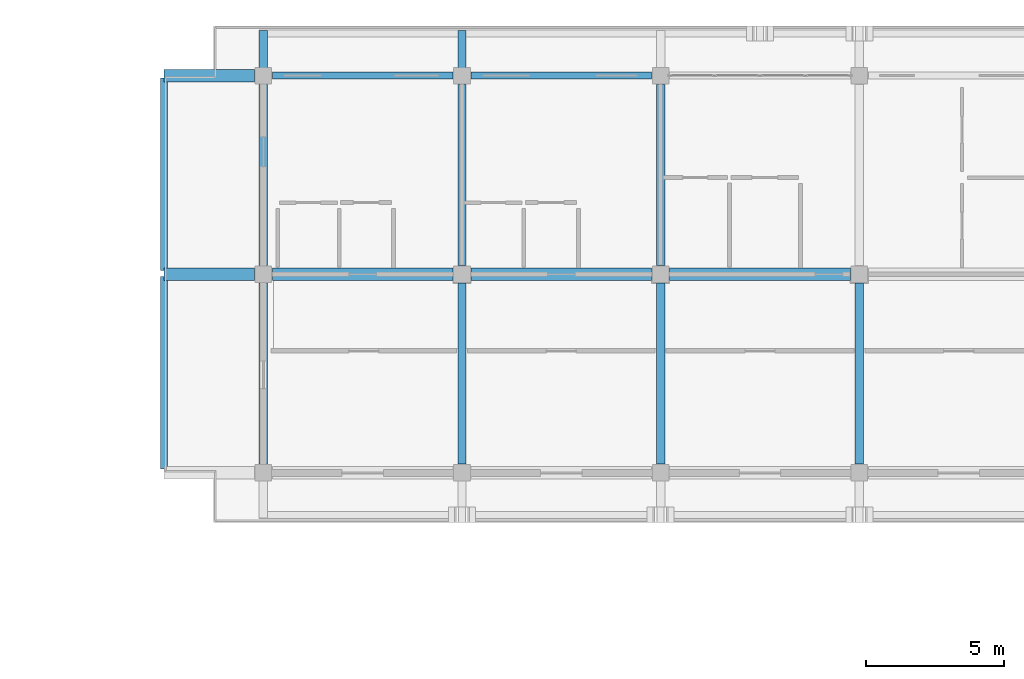
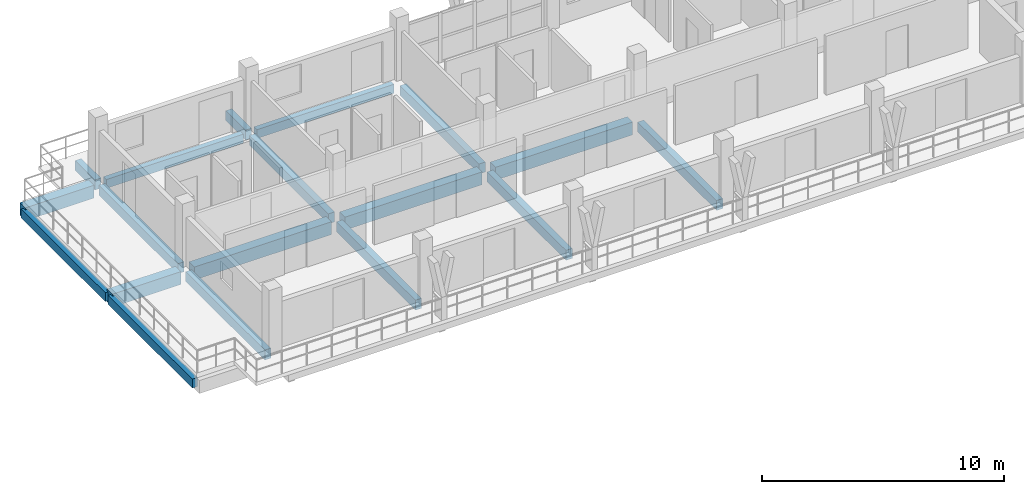
# One storey, part 8 of 73: 18 beams.
"""IFC4 building model written with IfcOpenShell, lengths in metres."""

from ifc_helpers import new_model, si_unit, direction, frame, origin, origin_2d, place, context, subcontext, project, spatial, rectangle, extrude, material, material_profile, profile_set, type_object, element, save


model = new_model("IFC4")

# Units and contexts
model_context = context("Model", 3, precision=1e-05, world=origin(), true_north=direction((0.0, 1.0)))
body_context = subcontext(model_context, "Body", "Model", "MODEL_VIEW")
ifc_project = project(units=[si_unit("LENGTHUNIT", "METRE"), si_unit("AREAUNIT", "SQUARE_METRE"), si_unit("VOLUMEUNIT", "CUBIC_METRE"), si_unit("PLANEANGLEUNIT", "RADIAN"), si_unit("MASSUNIT", "GRAM", prefix="KILO")], contexts=[model_context])

# Site, building, storey
site_placement = place(None, origin())
site = spatial("IfcSite", under=ifc_project, at=site_placement, CompositionType="ELEMENT")
building_placement = place(site_placement, origin())
building = spatial("IfcBuilding", under=site, at=building_placement, Name="Suanplinth Sawtooth Commons", CompositionType="ELEMENT")
storey_placement = place(building_placement, frame((0.0, 0.0, 21.89990234375)))
storey = spatial("IfcBuildingStorey", under=building, at=storey_placement, Name="L06", CompositionType="ELEMENT", Elevation=21.89990234375)

# Beams
ifc_material = material(Name="Precast concrete C40/50", Category="concrete")
ifc_material_profile_1 = material_profile(ifc_material, rectangle(XDim=0.449951171875, YDim=0.64990234375, at=origin_2d()), Name="PC-GDR 450x650")
ifc_profile_set_1 = profile_set([ifc_material_profile_1], Name="Precast concrete C40/50")
beam_type_1 = type_object("IfcBeamType", Name="B-04", PredefinedType="USERDEFINED", material=ifc_profile_set_1)
beam_1_placement = place(storey_placement, frame((7.52490234375, 115.199951171875, -0.56494140625), z_axis=(1.0, 0.0, 0.0), x_axis=(0.0, 1.0, 0.0)))
element("IfcBeam", 1, at=beam_1_placement, inside=storey, type_object=beam_type_1, Name="BMX-L06-A-1-16", ObjectType="GIRDER", PredefinedType="USERDEFINED", context=body_context, shape_type="SweptSolid", body=[
    extrude(rectangle(XDim=0.449951171875, YDim=0.64990234375, at=origin_2d()), origin(), (0.0, 0.0, 1.0), 6.550048828125),
])
beam_2_placement = place(storey_placement, frame((14.72509765625, 115.199951171875, -0.56494140625), z_axis=(1.0, 0.0, 0.0), x_axis=(0.0, 1.0, 0.0)))
element("IfcBeam", 2, at=beam_2_placement, inside=storey, type_object=beam_type_1, Name="BMX-L06-A-2-16", ObjectType="GIRDER", PredefinedType="USERDEFINED", context=body_context, shape_type="SweptSolid", body=[
    extrude(rectangle(XDim=0.449951171875, YDim=0.64990234375, at=origin_2d()), origin(), (0.0, 0.0, 1.0), 6.5498046875),
])
beam_3_placement = place(storey_placement, frame((21.925048828125, 115.199951171875, -0.56494140625), z_axis=(1.0, 0.0, 0.0), x_axis=(0.0, 1.0, 0.0)))
element("IfcBeam", 3, at=beam_3_placement, inside=storey, type_object=beam_type_1, Name="BMX-L06-A-3-16", ObjectType="GIRDER", PredefinedType="USERDEFINED", context=body_context, shape_type="SweptSolid", body=[
    extrude(rectangle(XDim=0.449951171875, YDim=0.64990234375, at=origin_2d()), origin(), (0.0, 0.0, 1.0), 6.550048828125),
])
for number, where, z_axis, x_axis, name in (
    (4, (6.875, 115.199951171875, -0.56494140625), (-1.0, 0.0, 0.0), (0.0, -1.0, 0.0), "BMX-L06-A-WCANT-16"),
    (5, (6.875, 122.39990234375, -0.56494140625), (-1.0, 0.0, 0.0), (0.0, -1.0, 0.0), "BMX-L06-A-WCANT-17"),
):
    element("IfcBeam", number, at=place(storey_placement, frame(where, z_axis=z_axis, x_axis=x_axis)), inside=storey, type_object=beam_type_1, Name=name, ObjectType="GIRDER", PredefinedType="USERDEFINED", context=body_context, shape_type="SweptSolid", body=[
        extrude(rectangle(XDim=0.449951171875, YDim=0.64990234375, at=origin_2d()), origin(), (0.0, 0.0, 1.0), 3.27490234375),
    ])
ifc_material_profile_2 = material_profile(ifc_material, rectangle(XDim=0.300048828125, YDim=0.5, at=origin_2d()), Name="PC-BM 300x500")
ifc_profile_set_2 = profile_set([ifc_material_profile_2], Name="Precast concrete C40/50")
beam_type_2 = type_object("IfcBeamType", Name="B-07", PredefinedType="BEAM", material=ifc_profile_set_2)
for number, where, z_axis, x_axis, name in (
    (6, (7.199951171875, 108.324951171875, -0.489990234375), (0.0, 1.0, 0.0), (-1.0, 0.0, 0.0), "BMY-L06-A-1-15"),
    (7, (7.199951171875, 115.52490234375, -0.489990234375), (0.0, 1.0, 0.0), (-1.0, 0.0, 0.0), "BMY-L06-A-1-16"),
    (8, (14.39990234375, 108.324951171875, -0.489990234375), (0.0, 1.0, 0.0), (-1.0, 0.0, 0.0), "BMY-L06-A-2-15"),
    (9, (14.39990234375, 115.52490234375, -0.489990234375), (0.0, 1.0, 0.0), (-1.0, 0.0, 0.0), "BMY-L06-A-2-16"),
    (10, (21.60009765625, 108.324951171875, -0.489990234375), (0.0, 1.0, 0.0), (-1.0, 0.0, 0.0), "BMY-L06-A-3-15"),
    (11, (21.60009765625, 115.52490234375, -0.489990234375), (0.0, 1.0, 0.0), (-1.0, 0.0, 0.0), "BMY-L06-A-3-16"),
    (12, (28.800048828125, 108.324951171875, -0.489990234375), (0.0, 1.0, 0.0), (-1.0, 0.0, 0.0), "BMY-L06-A-4-15"),
):
    element("IfcBeam", number, at=place(storey_placement, frame(where, z_axis=z_axis, x_axis=x_axis)), inside=storey, type_object=beam_type_2, Name=name, PredefinedType="BEAM", context=body_context, shape_type="SweptSolid", body=[
        extrude(rectangle(XDim=0.300048828125, YDim=0.5, at=origin_2d()), origin(), (0.0, 0.0, 1.0), 6.550048828125),
    ])
for number, where, z_axis, x_axis, name in (
    (13, (7.199951171875, 122.39990234375, -0.429931640625), (0.0, 1.0, 0.0), (-1.0, 0.0, 0.0), "Balcony Outrigger L06-A-N-1"),
    (14, (14.39990234375, 122.39990234375, -0.429931640625), (0.0, 1.0, 0.0), (-1.0, 0.0, 0.0), "Balcony Outrigger L06-A-N-2"),
):
    element("IfcBeam", number, at=place(storey_placement, frame(where, z_axis=z_axis, x_axis=x_axis)), inside=storey, type_object=beam_type_2, Name=name, PredefinedType="BEAM", context=body_context, shape_type="SweptSolid", body=[
        extrude(rectangle(XDim=0.300048828125, YDim=0.5, at=origin_2d()), origin(), (0.0, 0.0, 1.0), 1.64013671875),
    ])
ifc_material_profile_3 = material_profile(ifc_material, rectangle(XDim=0.25, YDim=0.449951171875, at=origin_2d()), Name="PC-SP 250x450")
ifc_profile_set_3 = profile_set([ifc_material_profile_3], Name="Precast concrete C40/50")
beam_type_3 = type_object("IfcBeamType", Name="B-09", PredefinedType="SPANDREL", material=ifc_profile_set_3)
beam_4_placement = place(storey_placement, frame((7.52490234375, 122.39990234375, -0.46484375), z_axis=(1.0, 0.0, 0.0), x_axis=(0.0, 1.0, 0.0)))
element("IfcBeam", 15, at=beam_4_placement, inside=storey, type_object=beam_type_3, Name="BMX-L06-A-1-17", PredefinedType="SPANDREL", context=body_context, shape_type="SweptSolid", body=[
    extrude(rectangle(XDim=0.25, YDim=0.449951171875, at=origin_2d()), origin(), (0.0, 0.0, 1.0), 6.550048828125),
])
beam_5_placement = place(storey_placement, frame((14.72509765625, 122.39990234375, -0.46484375), z_axis=(1.0, 0.0, 0.0), x_axis=(0.0, 1.0, 0.0)))
element("IfcBeam", 16, at=beam_5_placement, inside=storey, type_object=beam_type_3, Name="BMX-L06-A-2-17", PredefinedType="SPANDREL", context=body_context, shape_type="SweptSolid", body=[
    extrude(rectangle(XDim=0.25, YDim=0.449951171875, at=origin_2d()), origin(), (0.0, 0.0, 1.0), 6.5498046875),
])
beam_6_placement = place(storey_placement, frame((3.60009765625, 108.139892578125, -0.56494140625), z_axis=(0.0, 1.0, 0.0), x_axis=(-1.0, 0.0, 0.0)))
element("IfcBeam", 17, at=beam_6_placement, inside=storey, type_object=beam_type_3, Name="BMY-L06-A-STEP-36-15", PredefinedType="SPANDREL", context=body_context, shape_type="SweptSolid", body=[
    extrude(rectangle(XDim=0.25, YDim=0.449951171875, at=origin_2d()), origin(), (0.0, 0.0, 1.0), 6.980224609375),
])
beam_7_placement = place(storey_placement, frame((3.60009765625, 115.340087890625, -0.56494140625), z_axis=(0.0, 1.0, 0.0), x_axis=(-1.0, 0.0, 0.0)))
element("IfcBeam", 18, at=beam_7_placement, inside=storey, type_object=beam_type_3, Name="BMY-L06-A-STEP-36-16", PredefinedType="SPANDREL", context=body_context, shape_type="SweptSolid", body=[
    extrude(rectangle(XDim=0.25, YDim=0.449951171875, at=origin_2d()), origin(), (0.0, 0.0, 1.0), 6.97998046875),
])

save(model, "model.ifc")
